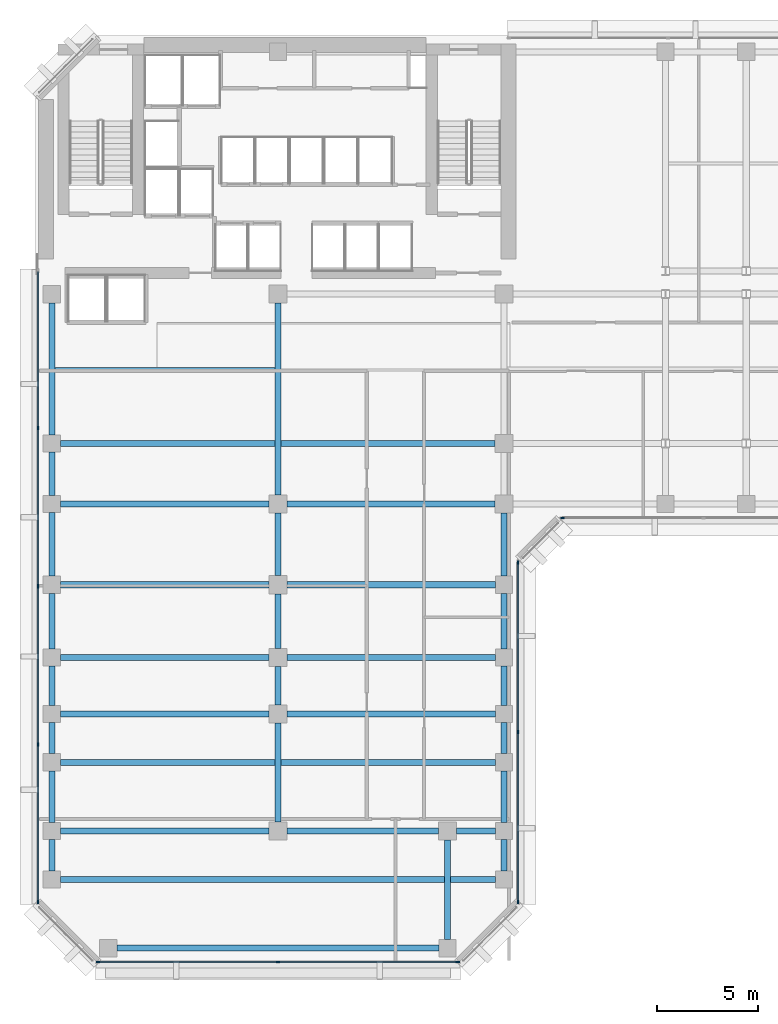
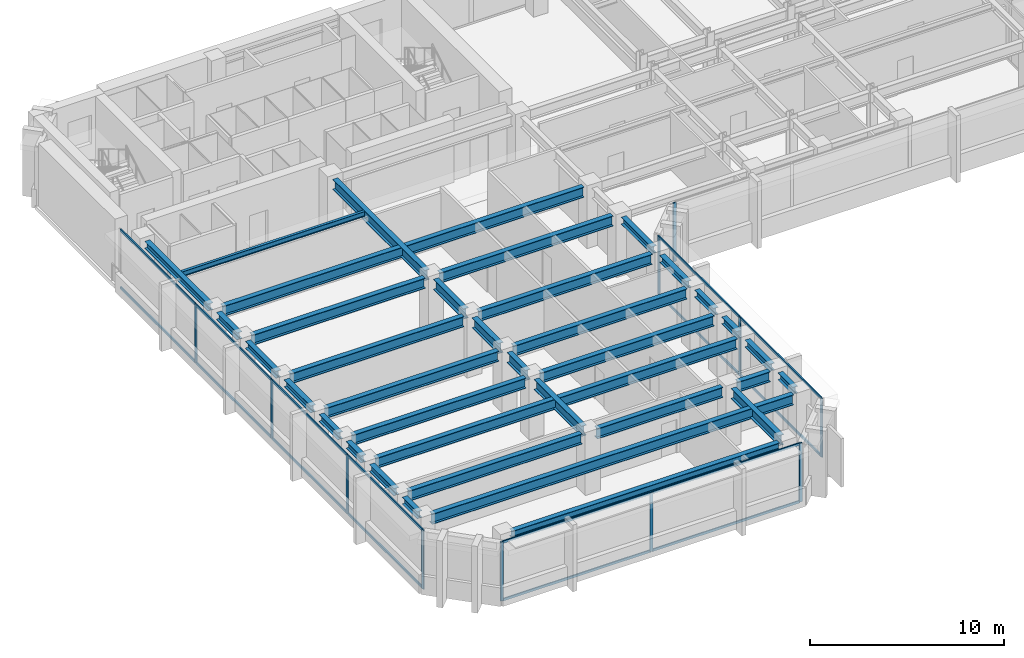
# One storey, part 2 of 12: 36 beams, 27 members, 4 elements without a shape of their own.
"""IFC4 building model written with IfcOpenShell, lengths in metres."""

from ifc_helpers import new_model, si_unit, direction, frame, origin, origin_2d, place, context, subcontext, project, spatial, rectangle, i_section, extrude, material, layer, layer_set, material_profile, profile_set, type_object, element, aggregate, save


model = new_model("IFC4")

# Units and contexts
model_context = context("Model", 3, precision=1e-05, world=origin(), true_north=direction((0.0, 1.0)))
body_context = subcontext(model_context, "Body", "Model", "MODEL_VIEW")
ifc_project = project(units=[si_unit("LENGTHUNIT", "METRE"), si_unit("AREAUNIT", "SQUARE_METRE"), si_unit("VOLUMEUNIT", "CUBIC_METRE"), si_unit("PLANEANGLEUNIT", "RADIAN"), si_unit("MASSUNIT", "GRAM", prefix="KILO")], contexts=[model_context])

# Site, building, storey
site_placement = place(None, origin())
site = spatial("IfcSite", under=ifc_project, at=site_placement, CompositionType="ELEMENT")
building_placement = place(site_placement, origin())
building = spatial("IfcBuilding", under=site, at=building_placement, Name="Kefirva Bronze Tower", CompositionType="ELEMENT")
storey_placement = place(building_placement, frame((0.0, 0.0, 122.429931640625)))
storey = spatial("IfcBuildingStorey", under=building, at=storey_placement, Name="L29", CompositionType="ELEMENT", Elevation=122.429931640625)

# Curtain wall, members
ifc_material_1 = material(Name="Bronze anodised aluminium", Category="aluminium")
ifc_layer = layer(ifc_material_1, 0.199951171875, Name="Bronze anodised aluminium")
ifc_layer_set = layer_set([ifc_layer], Name="Bronze anodised aluminium")
curtain_wall_type = type_object("IfcCurtainWallType", Name="Unitised Bronze Ribbon Curtain Wall Zone 2", PredefinedType="USERDEFINED", material=ifc_layer_set)
curtain_wall_1_placement = place(storey_placement, origin())
curtain_wall_1 = element("IfcCurtainWall", 1, at=curtain_wall_1_placement, inside=storey, type_object=curtain_wall_type, Name="L29 Curtain Wall 1", ObjectType="UNITISED CURTAIN WALL", PredefinedType="USERDEFINED")
ifc_material_profile_1 = material_profile(ifc_material_1, rectangle(XDim=0.074951171875, YDim=0.179931640625, at=origin_2d()), Name="ALU 75x180")
ifc_profile_set_1 = profile_set([ifc_material_profile_1], Name="Bronze anodised aluminium")
member_type_1 = type_object("IfcMemberType", Name="Bronze Mullion 75x180", PredefinedType="MULLION", material=ifc_profile_set_1)
member_1_placement = place(storey_placement, frame((3.092529296875, 0.1201171875, 0.0), z_axis=(0.0, 0.0, 1.0), x_axis=(0.0, 1.0, 0.0)))
member_1 = element("IfcMember", 2, at=member_1_placement, type_object=member_type_1, Name="CW-02 mullion 1", PredefinedType="MULLION", context=body_context, shape_type="SweptSolid", body=[
    extrude(rectangle(XDim=0.074951171875, YDim=0.179931640625, at=origin_2d()), origin(), (0.0, 0.0, 1.0), 3.7099609375),
])
member_2_placement = place(storey_placement, frame((12.0, 0.1201171875, 0.0), z_axis=(0.0, 0.0, 1.0), x_axis=(0.0, 1.0, 0.0)))
member_2 = element("IfcMember", 3, at=member_2_placement, type_object=member_type_1, Name="CW-02 mullion 2", PredefinedType="MULLION", context=body_context, shape_type="SweptSolid", body=[
    extrude(rectangle(XDim=0.074951171875, YDim=0.179931640625, at=origin_2d()), origin(), (0.0, 0.0, 1.0), 3.7099609375),
])
member_3_placement = place(storey_placement, frame((20.907470703125, 0.1201171875, 0.0), z_axis=(0.0, 0.0, 1.0), x_axis=(0.0, 1.0, 0.0)))
member_3 = element("IfcMember", 4, at=member_3_placement, type_object=member_type_1, Name="CW-02 mullion 3", PredefinedType="MULLION", context=body_context, shape_type="SweptSolid", body=[
    extrude(rectangle(XDim=0.074951171875, YDim=0.179931640625, at=origin_2d()), origin(), (0.0, 0.0, 1.0), 3.7099609375),
])

curtain_wall_2_placement = place(storey_placement, origin())
curtain_wall_2 = element("IfcCurtainWall", 5, at=curtain_wall_2_placement, inside=storey, type_object=curtain_wall_type, Name="L29 Curtain Wall 2", ObjectType="UNITISED CURTAIN WALL", PredefinedType="USERDEFINED")
member_4_placement = place(storey_placement, frame((23.8798828125, 3.092529296875, 0.0), z_axis=(0.0, 0.0, 1.0), x_axis=(-1.0, 0.0, 0.0)))
member_4 = element("IfcMember", 6, at=member_4_placement, type_object=member_type_1, Name="CW-02 mullion 1", PredefinedType="MULLION", context=body_context, shape_type="SweptSolid", body=[
    extrude(rectangle(XDim=0.074951171875, YDim=0.179931640625, at=origin_2d()), origin(), (0.0, 0.0, 1.0), 3.7099609375),
])
member_5_placement = place(storey_placement, frame((23.8798828125, 11.5, 0.0), z_axis=(0.0, 0.0, 1.0), x_axis=(-1.0, 0.0, 0.0)))
member_5 = element("IfcMember", 7, at=member_5_placement, type_object=member_type_1, Name="CW-02 mullion 2", PredefinedType="MULLION", context=body_context, shape_type="SweptSolid", body=[
    extrude(rectangle(XDim=0.074951171875, YDim=0.179931640625, at=origin_2d()), origin(), (0.0, 0.0, 1.0), 3.7099609375),
])
member_6_placement = place(storey_placement, frame((23.8798828125, 19.907470703125, 0.0), z_axis=(0.0, 0.0, 1.0), x_axis=(-1.0, 0.0, 0.0)))
member_6 = element("IfcMember", 8, at=member_6_placement, type_object=member_type_1, Name="CW-02 mullion 3", PredefinedType="MULLION", context=body_context, shape_type="SweptSolid", body=[
    extrude(rectangle(XDim=0.074951171875, YDim=0.179931640625, at=origin_2d()), origin(), (0.0, 0.0, 1.0), 3.7099609375),
])

# Curtain wall, member
curtain_wall_3_placement = place(storey_placement, origin())
curtain_wall_3 = element("IfcCurtainWall", 9, at=curtain_wall_3_placement, inside=storey, type_object=curtain_wall_type, Name="L29 Curtain Wall 3", ObjectType="UNITISED CURTAIN WALL", PredefinedType="USERDEFINED")
member_7_placement = place(storey_placement, frame((26.092529296875, 22.1201171875, 0.0), z_axis=(0.0, 0.0, 1.0), x_axis=(0.0, 1.0, 0.0)))
member_7 = element("IfcMember", 10, at=member_7_placement, type_object=member_type_1, Name="CW-02 mullion 1", PredefinedType="MULLION", context=body_context, shape_type="SweptSolid", body=[
    extrude(rectangle(XDim=0.074951171875, YDim=0.179931640625, at=origin_2d()), origin(), (0.0, 0.0, 1.0), 3.7099609375),
])
aggregate(curtain_wall_3, [member_7])

# Curtain wall, members
curtain_wall_4_placement = place(storey_placement, origin())
curtain_wall_4 = element("IfcCurtainWall", 11, at=curtain_wall_4_placement, inside=storey, type_object=curtain_wall_type, Name="L29 Curtain Wall 6", ObjectType="UNITISED CURTAIN WALL", PredefinedType="USERDEFINED")
member_8_placement = place(storey_placement, frame((0.1201171875, 26.56005859375, 0.0), z_axis=(0.0, 0.0, 1.0), x_axis=(1.0, 0.0, 0.0)))
member_8 = element("IfcMember", 12, at=member_8_placement, type_object=member_type_1, Name="CW-02 mullion 2", PredefinedType="MULLION", context=body_context, shape_type="SweptSolid", body=[
    extrude(rectangle(XDim=0.074951171875, YDim=0.179931640625, at=origin_2d()), origin(), (0.0, 0.0, 1.0), 3.7099609375),
])
member_9_placement = place(storey_placement, frame((0.1201171875, 18.72509765625, 0.0), z_axis=(0.0, 0.0, 1.0), x_axis=(1.0, 0.0, 0.0)))
member_9 = element("IfcMember", 13, at=member_9_placement, type_object=member_type_1, Name="CW-02 mullion 3", PredefinedType="MULLION", context=body_context, shape_type="SweptSolid", body=[
    extrude(rectangle(XDim=0.074951171875, YDim=0.179931640625, at=origin_2d()), origin(), (0.0, 0.0, 1.0), 3.7099609375),
])
member_10_placement = place(storey_placement, frame((0.1201171875, 10.889892578125, 0.0), z_axis=(0.0, 0.0, 1.0), x_axis=(1.0, 0.0, 0.0)))
member_10 = element("IfcMember", 14, at=member_10_placement, type_object=member_type_1, Name="CW-02 mullion 4", PredefinedType="MULLION", context=body_context, shape_type="SweptSolid", body=[
    extrude(rectangle(XDim=0.074951171875, YDim=0.179931640625, at=origin_2d()), origin(), (0.0, 0.0, 1.0), 3.7099609375),
])
member_11_placement = place(storey_placement, frame((0.1201171875, 3.092529296875, 0.0), z_axis=(0.0, 0.0, 1.0), x_axis=(1.0, 0.0, 0.0)))
member_11 = element("IfcMember", 15, at=member_11_placement, type_object=member_type_1, Name="CW-02 mullion 5", PredefinedType="MULLION", context=body_context, shape_type="SweptSolid", body=[
    extrude(rectangle(XDim=0.074951171875, YDim=0.179931640625, at=origin_2d()), origin(), (0.0, 0.0, 1.0), 3.7099609375),
])

# Member
ifc_material_profile_2 = material_profile(ifc_material_1, rectangle(XDim=0.074951171875, YDim=0.14990234375, at=origin_2d()), Name="ALU 75x150")
ifc_profile_set_2 = profile_set([ifc_material_profile_2], Name="Bronze anodised aluminium")
member_type_2 = type_object("IfcMemberType", Name="Bronze Transom 75x150", PredefinedType="USERDEFINED", material=ifc_profile_set_2)
member_12_placement = place(storey_placement, frame((3.1298828125, 0.1201171875, 0.03759765625), z_axis=(1.0, 0.0, 0.0), x_axis=(0.0, 1.0, 0.0)))
member_12 = element("IfcMember", 16, at=member_12_placement, type_object=member_type_2, Name="CW-02 transom 1.1", ObjectType="TRANSOM", PredefinedType="USERDEFINED", context=body_context, shape_type="SweptSolid", body=[
    extrude(rectangle(XDim=0.074951171875, YDim=0.14990234375, at=origin_2d()), origin(), (0.0, 0.0, 1.0), 8.83251953125),
])

member_13_placement = place(storey_placement, frame((3.1298828125, 0.1201171875, 3.672607421875), z_axis=(1.0, 0.0, 0.0), x_axis=(0.0, 1.0, 0.0)))
member_13 = element("IfcMember", 17, at=member_13_placement, type_object=member_type_2, Name="CW-02 transom 1.2", ObjectType="TRANSOM", PredefinedType="USERDEFINED", context=body_context, shape_type="SweptSolid", body=[
    extrude(rectangle(XDim=0.074951171875, YDim=0.14990234375, at=origin_2d()), origin(), (0.0, 0.0, 1.0), 8.83251953125),
])

member_14_placement = place(storey_placement, frame((12.03759765625, 0.1201171875, 0.03759765625), z_axis=(1.0, 0.0, 0.0), x_axis=(0.0, 1.0, 0.0)))
member_14 = element("IfcMember", 18, at=member_14_placement, type_object=member_type_2, Name="CW-02 transom 2.1", ObjectType="TRANSOM", PredefinedType="USERDEFINED", context=body_context, shape_type="SweptSolid", body=[
    extrude(rectangle(XDim=0.074951171875, YDim=0.14990234375, at=origin_2d()), origin(), (0.0, 0.0, 1.0), 8.83251953125),
])

member_15_placement = place(storey_placement, frame((12.03759765625, 0.1201171875, 3.672607421875), z_axis=(1.0, 0.0, 0.0), x_axis=(0.0, 1.0, 0.0)))
member_15 = element("IfcMember", 19, at=member_15_placement, type_object=member_type_2, Name="CW-02 transom 2.2", ObjectType="TRANSOM", PredefinedType="USERDEFINED", context=body_context, shape_type="SweptSolid", body=[
    extrude(rectangle(XDim=0.074951171875, YDim=0.14990234375, at=origin_2d()), origin(), (0.0, 0.0, 1.0), 8.83251953125),
])

aggregate(curtain_wall_1, [member_1, member_2, member_3, member_12, member_13, member_14, member_15])

member_16_placement = place(storey_placement, frame((23.8798828125, 3.1298828125, 0.03759765625), z_axis=(0.0, 1.0, 0.0), x_axis=(-1.0, 0.0, 0.0)))
member_16 = element("IfcMember", 20, at=member_16_placement, type_object=member_type_2, Name="CW-02 transom 1.1", ObjectType="TRANSOM", PredefinedType="USERDEFINED", context=body_context, shape_type="SweptSolid", body=[
    extrude(rectangle(XDim=0.074951171875, YDim=0.14990234375, at=origin_2d()), origin(), (0.0, 0.0, 1.0), 8.33251953125),
])

member_17_placement = place(storey_placement, frame((23.8798828125, 3.1298828125, 3.672607421875), z_axis=(0.0, 1.0, 0.0), x_axis=(-1.0, 0.0, 0.0)))
member_17 = element("IfcMember", 21, at=member_17_placement, type_object=member_type_2, Name="CW-02 transom 1.2", ObjectType="TRANSOM", PredefinedType="USERDEFINED", context=body_context, shape_type="SweptSolid", body=[
    extrude(rectangle(XDim=0.074951171875, YDim=0.14990234375, at=origin_2d()), origin(), (0.0, 0.0, 1.0), 8.33251953125),
])

member_18_placement = place(storey_placement, frame((23.8798828125, 11.53759765625, 0.03759765625), z_axis=(0.0, 1.0, 0.0), x_axis=(-1.0, 0.0, 0.0)))
member_18 = element("IfcMember", 22, at=member_18_placement, type_object=member_type_2, Name="CW-02 transom 2.1", ObjectType="TRANSOM", PredefinedType="USERDEFINED", context=body_context, shape_type="SweptSolid", body=[
    extrude(rectangle(XDim=0.074951171875, YDim=0.14990234375, at=origin_2d()), origin(), (0.0, 0.0, 1.0), 8.33251953125),
])

member_19_placement = place(storey_placement, frame((23.8798828125, 11.53759765625, 3.672607421875), z_axis=(0.0, 1.0, 0.0), x_axis=(-1.0, 0.0, 0.0)))
member_19 = element("IfcMember", 23, at=member_19_placement, type_object=member_type_2, Name="CW-02 transom 2.2", ObjectType="TRANSOM", PredefinedType="USERDEFINED", context=body_context, shape_type="SweptSolid", body=[
    extrude(rectangle(XDim=0.074951171875, YDim=0.14990234375, at=origin_2d()), origin(), (0.0, 0.0, 1.0), 8.33251953125),
])

aggregate(curtain_wall_2, [member_4, member_5, member_6, member_16, member_17, member_18, member_19])

member_20_placement = place(storey_placement, frame((0.1201171875, 34.320068359375, 0.03759765625), z_axis=(0.0, -1.0, 0.0), x_axis=(1.0, 0.0, 0.0)))
member_20 = element("IfcMember", 24, at=member_20_placement, type_object=member_type_2, Name="CW-02 transom 1.1", ObjectType="TRANSOM", PredefinedType="USERDEFINED", context=body_context, shape_type="SweptSolid", body=[
    extrude(rectangle(XDim=0.074951171875, YDim=0.14990234375, at=origin_2d()), origin(), (0.0, 0.0, 1.0), 7.72265625),
])

member_21_placement = place(storey_placement, frame((0.1201171875, 34.320068359375, 3.672607421875), z_axis=(0.0, -1.0, 0.0), x_axis=(1.0, 0.0, 0.0)))
member_21 = element("IfcMember", 25, at=member_21_placement, type_object=member_type_2, Name="CW-02 transom 1.2", ObjectType="TRANSOM", PredefinedType="USERDEFINED", context=body_context, shape_type="SweptSolid", body=[
    extrude(rectangle(XDim=0.074951171875, YDim=0.14990234375, at=origin_2d()), origin(), (0.0, 0.0, 1.0), 7.72265625),
])

member_22_placement = place(storey_placement, frame((0.1201171875, 26.5224609375, 0.03759765625), z_axis=(0.0, -1.0, 0.0), x_axis=(1.0, 0.0, 0.0)))
member_22 = element("IfcMember", 26, at=member_22_placement, type_object=member_type_2, Name="CW-02 transom 2.1", ObjectType="TRANSOM", PredefinedType="USERDEFINED", context=body_context, shape_type="SweptSolid", body=[
    extrude(rectangle(XDim=0.074951171875, YDim=0.14990234375, at=origin_2d()), origin(), (0.0, 0.0, 1.0), 7.760009765625),
])

member_23_placement = place(storey_placement, frame((0.1201171875, 26.5224609375, 3.672607421875), z_axis=(0.0, -1.0, 0.0), x_axis=(1.0, 0.0, 0.0)))
member_23 = element("IfcMember", 27, at=member_23_placement, type_object=member_type_2, Name="CW-02 transom 2.2", ObjectType="TRANSOM", PredefinedType="USERDEFINED", context=body_context, shape_type="SweptSolid", body=[
    extrude(rectangle(XDim=0.074951171875, YDim=0.14990234375, at=origin_2d()), origin(), (0.0, 0.0, 1.0), 7.760009765625),
])

member_24_placement = place(storey_placement, frame((0.1201171875, 18.6875, 0.03759765625), z_axis=(0.0, -1.0, 0.0), x_axis=(1.0, 0.0, 0.0)))
member_24 = element("IfcMember", 28, at=member_24_placement, type_object=member_type_2, Name="CW-02 transom 3.1", ObjectType="TRANSOM", PredefinedType="USERDEFINED", context=body_context, shape_type="SweptSolid", body=[
    extrude(rectangle(XDim=0.074951171875, YDim=0.14990234375, at=origin_2d()), origin(), (0.0, 0.0, 1.0), 7.760009765625),
])

member_25_placement = place(storey_placement, frame((0.1201171875, 18.6875, 3.672607421875), z_axis=(0.0, -1.0, 0.0), x_axis=(1.0, 0.0, 0.0)))
member_25 = element("IfcMember", 29, at=member_25_placement, type_object=member_type_2, Name="CW-02 transom 3.2", ObjectType="TRANSOM", PredefinedType="USERDEFINED", context=body_context, shape_type="SweptSolid", body=[
    extrude(rectangle(XDim=0.074951171875, YDim=0.14990234375, at=origin_2d()), origin(), (0.0, 0.0, 1.0), 7.760009765625),
])

member_26_placement = place(storey_placement, frame((0.1201171875, 10.8525390625, 0.03759765625), z_axis=(0.0, -1.0, 0.0), x_axis=(1.0, 0.0, 0.0)))
member_26 = element("IfcMember", 30, at=member_26_placement, type_object=member_type_2, Name="CW-02 transom 4.1", ObjectType="TRANSOM", PredefinedType="USERDEFINED", context=body_context, shape_type="SweptSolid", body=[
    extrude(rectangle(XDim=0.074951171875, YDim=0.14990234375, at=origin_2d()), origin(), (0.0, 0.0, 1.0), 7.72265625),
])

member_27_placement = place(storey_placement, frame((0.1201171875, 10.8525390625, 3.672607421875), z_axis=(0.0, -1.0, 0.0), x_axis=(1.0, 0.0, 0.0)))
member_27 = element("IfcMember", 31, at=member_27_placement, type_object=member_type_2, Name="CW-02 transom 4.2", ObjectType="TRANSOM", PredefinedType="USERDEFINED", context=body_context, shape_type="SweptSolid", body=[
    extrude(rectangle(XDim=0.074951171875, YDim=0.14990234375, at=origin_2d()), origin(), (0.0, 0.0, 1.0), 7.72265625),
])

aggregate(curtain_wall_4, [member_8, member_9, member_10, member_11, member_20, member_21, member_22, member_23, member_24, member_25, member_26, member_27])

# Beams
ifc_material_2 = material(Name="Steel S355", Category="steel")
ifc_material_profile_3 = material_profile(ifc_material_2, i_section(OverallWidth=0.159912109375, OverallDepth=0.330078125, WebThickness=0.007568359375, FlangeThickness=0.011474609375, at=origin_2d()), Name="IPE 330")
ifc_profile_set_3 = profile_set([ifc_material_profile_3], Name="Steel S355")
beam_type_1 = type_object("IfcBeamType", Name="Steel Floor Joist IPE 330", PredefinedType="JOIST", material=ifc_profile_set_3)
beam_1_placement = place(storey_placement, frame((0.949951171875, 29.489990234375, 3.545166015625), z_axis=(1.0, 0.0, 0.0), x_axis=(0.0, 1.0, 0.0)))
element("IfcBeam", 32, at=beam_1_placement, inside=storey, type_object=beam_type_1, Name="L29 JST-L29-0-294", PredefinedType="JOIST", context=body_context, shape_type="SweptSolid", body=[
    extrude(i_section(OverallWidth=0.159912109375, OverallDepth=0.330078125, WebThickness=0.007568359375, FlangeThickness=0.011474609375, at=origin_2d()), origin(), (0.0, 0.0, 1.0), 10.900146484375),
])
ifc_material_profile_4 = material_profile(ifc_material_2, i_section(OverallWidth=0.300048828125, OverallDepth=0.64990234375, WebThickness=0.01611328125, FlangeThickness=0.031005859375, at=origin_2d()), Name="HEB 650")
ifc_profile_set_4 = profile_set([ifc_material_profile_4], Name="Steel S355")
beam_type_2 = type_object("IfcBeamType", Name="Steel Girder HEB 650", PredefinedType="USERDEFINED", material=ifc_profile_set_4)
beam_2_placement = place(storey_placement, frame((1.22998046875, 4.199951171875, 3.385009765625), z_axis=(1.0, 0.0, 0.0), x_axis=(0.0, 1.0, 0.0)))
element("IfcBeam", 33, at=beam_2_placement, inside=storey, type_object=beam_type_2, Name="L29 BM-L29-EW-0-42", ObjectType="GIRDER", PredefinedType="USERDEFINED", context=body_context, shape_type="SweptSolid", body=[
    extrude(i_section(OverallWidth=0.300048828125, OverallDepth=0.64990234375, WebThickness=0.01611328125, FlangeThickness=0.031005859375, at=origin_2d()), origin(), (0.0, 0.0, 1.0), 21.5400390625),
])
beam_3_placement = place(storey_placement, frame((1.22998046875, 6.60009765625, 3.385009765625), z_axis=(1.0, 0.0, 0.0), x_axis=(0.0, 1.0, 0.0)))
element("IfcBeam", 34, at=beam_3_placement, inside=storey, type_object=beam_type_2, Name="L29 BM-L29-EW-0-66", ObjectType="GIRDER", PredefinedType="USERDEFINED", context=body_context, shape_type="SweptSolid", body=[
    extrude(i_section(OverallWidth=0.300048828125, OverallDepth=0.64990234375, WebThickness=0.01611328125, FlangeThickness=0.031005859375, at=origin_2d()), origin(), (0.0, 0.0, 1.0), 10.320068359375),
])
beam_4_placement = place(storey_placement, frame((12.449951171875, 6.60009765625, 3.385009765625), z_axis=(1.0, 0.0, 0.0), x_axis=(0.0, 1.0, 0.0)))
element("IfcBeam", 35, at=beam_4_placement, inside=storey, type_object=beam_type_2, Name="L29 BM-L29-EW-12-66", ObjectType="GIRDER", PredefinedType="USERDEFINED", context=body_context, shape_type="SweptSolid", body=[
    extrude(i_section(OverallWidth=0.300048828125, OverallDepth=0.64990234375, WebThickness=0.01611328125, FlangeThickness=0.031005859375, at=origin_2d()), origin(), (0.0, 0.0, 1.0), 7.5),
])
beam_5_placement = place(storey_placement, frame((20.85009765625, 6.60009765625, 3.385009765625), z_axis=(1.0, 0.0, 0.0), x_axis=(0.0, 1.0, 0.0)))
element("IfcBeam", 36, at=beam_5_placement, inside=storey, type_object=beam_type_2, Name="L29 BM-L29-EW-20-66", ObjectType="GIRDER", PredefinedType="USERDEFINED", context=body_context, shape_type="SweptSolid", body=[
    extrude(i_section(OverallWidth=0.300048828125, OverallDepth=0.64990234375, WebThickness=0.01611328125, FlangeThickness=0.031005859375, at=origin_2d()), origin(), (0.0, 0.0, 1.0), 1.919921875),
])
beam_6_placement = place(storey_placement, frame((1.22998046875, 10.0, 3.385009765625), z_axis=(1.0, 0.0, 0.0), x_axis=(0.0, 1.0, 0.0)))
element("IfcBeam", 37, at=beam_6_placement, inside=storey, type_object=beam_type_2, Name="L29 BM-L29-EW-0-100", ObjectType="GIRDER", PredefinedType="USERDEFINED", context=body_context, shape_type="SweptSolid", body=[
    extrude(i_section(OverallWidth=0.300048828125, OverallDepth=0.64990234375, WebThickness=0.01611328125, FlangeThickness=0.031005859375, at=origin_2d()), origin(), (0.0, 0.0, 1.0), 21.5400390625),
])
for number, where, z_axis, x_axis, name in (
    (38, (1.22998046875, 12.39990234375, 3.385009765625), (1.0, 0.0, 0.0), (0.0, 1.0, 0.0), "L29 BM-L29-EW-0-124"),
    (39, (12.449951171875, 12.39990234375, 3.385009765625), (1.0, 0.0, 0.0), (0.0, 1.0, 0.0), "L29 BM-L29-EW-12-124"),
    (40, (1.22998046875, 15.199951171875, 3.385009765625), (1.0, 0.0, 0.0), (0.0, 1.0, 0.0), "L29 BM-L29-EW-0-152"),
    (41, (12.449951171875, 15.199951171875, 3.385009765625), (1.0, 0.0, 0.0), (0.0, 1.0, 0.0), "L29 BM-L29-EW-12-152"),
    (42, (1.22998046875, 18.800048828125, 3.385009765625), (1.0, 0.0, 0.0), (0.0, 1.0, 0.0), "L29 BM-L29-EW-0-188"),
    (43, (12.449951171875, 18.800048828125, 3.385009765625), (1.0, 0.0, 0.0), (0.0, 1.0, 0.0), "L29 BM-L29-EW-12-188"),
    (44, (1.22998046875, 22.800048828125, 3.385009765625), (1.0, 0.0, 0.0), (0.0, 1.0, 0.0), "L29 BM-L29-EW-0-228"),
):
    element("IfcBeam", number, at=place(storey_placement, frame(where, z_axis=z_axis, x_axis=x_axis)), inside=storey, type_object=beam_type_2, Name=name, ObjectType="GIRDER", PredefinedType="USERDEFINED", context=body_context, shape_type="SweptSolid", body=[
        extrude(i_section(OverallWidth=0.300048828125, OverallDepth=0.64990234375, WebThickness=0.01611328125, FlangeThickness=0.031005859375, at=origin_2d()), origin(), (0.0, 0.0, 1.0), 10.320068359375),
    ])
beam_7_placement = place(storey_placement, frame((12.449951171875, 22.800048828125, 3.385009765625), z_axis=(1.0, 0.0, 0.0), x_axis=(0.0, 1.0, 0.0)))
element("IfcBeam", 45, at=beam_7_placement, inside=storey, type_object=beam_type_2, Name="L29 BM-L29-EW-12-228", ObjectType="GIRDER", PredefinedType="USERDEFINED", context=body_context, shape_type="SweptSolid", body=[
    extrude(i_section(OverallWidth=0.300048828125, OverallDepth=0.64990234375, WebThickness=0.01611328125, FlangeThickness=0.031005859375, at=origin_2d()), origin(), (0.0, 0.0, 1.0), 10.300048828125),
])
beam_8_placement = place(storey_placement, frame((1.22998046875, 25.800048828125, 3.385009765625), z_axis=(1.0, 0.0, 0.0), x_axis=(0.0, 1.0, 0.0)))
element("IfcBeam", 46, at=beam_8_placement, inside=storey, type_object=beam_type_2, Name="L29 BM-L29-EW-0-258", ObjectType="GIRDER", PredefinedType="USERDEFINED", context=body_context, shape_type="SweptSolid", body=[
    extrude(i_section(OverallWidth=0.300048828125, OverallDepth=0.64990234375, WebThickness=0.01611328125, FlangeThickness=0.031005859375, at=origin_2d()), origin(), (0.0, 0.0, 1.0), 21.52001953125),
])
beam_9_placement = place(storey_placement, frame((12.0, 7.050048828125, 3.385009765625), z_axis=(0.0, 1.0, 0.0), x_axis=(-1.0, 0.0, 0.0)))
element("IfcBeam", 47, at=beam_9_placement, inside=storey, type_object=beam_type_2, Name="L29 BM-L29-NS-120-6", ObjectType="GIRDER", PredefinedType="USERDEFINED", context=body_context, shape_type="SweptSolid", body=[
    extrude(i_section(OverallWidth=0.300048828125, OverallDepth=0.64990234375, WebThickness=0.01611328125, FlangeThickness=0.031005859375, at=origin_2d()), origin(), (0.0, 0.0, 1.0), 4.89990234375),
])
beam_10_placement = place(storey_placement, frame((12.0, 12.85009765625, 3.385009765625), z_axis=(0.0, 1.0, 0.0), x_axis=(-1.0, 0.0, 0.0)))
element("IfcBeam", 48, at=beam_10_placement, inside=storey, type_object=beam_type_2, Name="L29 BM-L29-NS-120-12", ObjectType="GIRDER", PredefinedType="USERDEFINED", context=body_context, shape_type="SweptSolid", body=[
    extrude(i_section(OverallWidth=0.300048828125, OverallDepth=0.64990234375, WebThickness=0.01611328125, FlangeThickness=0.031005859375, at=origin_2d()), origin(), (0.0, 0.0, 1.0), 1.89990234375),
])
beam_11_placement = place(storey_placement, frame((12.0, 15.64990234375, 3.385009765625), z_axis=(0.0, 1.0, 0.0), x_axis=(-1.0, 0.0, 0.0)))
element("IfcBeam", 49, at=beam_11_placement, inside=storey, type_object=beam_type_2, Name="L29 BM-L29-NS-120-15", ObjectType="GIRDER", PredefinedType="USERDEFINED", context=body_context, shape_type="SweptSolid", body=[
    extrude(i_section(OverallWidth=0.300048828125, OverallDepth=0.64990234375, WebThickness=0.01611328125, FlangeThickness=0.031005859375, at=origin_2d()), origin(), (0.0, 0.0, 1.0), 2.7001953125),
])
beam_12_placement = place(storey_placement, frame((12.0, 19.25, 3.385009765625), z_axis=(0.0, 1.0, 0.0), x_axis=(-1.0, 0.0, 0.0)))
element("IfcBeam", 50, at=beam_12_placement, inside=storey, type_object=beam_type_2, Name="L29 BM-L29-NS-120-18", ObjectType="GIRDER", PredefinedType="USERDEFINED", context=body_context, shape_type="SweptSolid", body=[
    extrude(i_section(OverallWidth=0.300048828125, OverallDepth=0.64990234375, WebThickness=0.01611328125, FlangeThickness=0.031005859375, at=origin_2d()), origin(), (0.0, 0.0, 1.0), 3.10009765625),
])
beam_13_placement = place(storey_placement, frame((12.0, 23.25, 3.385009765625), z_axis=(0.0, 1.0, 0.0), x_axis=(-1.0, 0.0, 0.0)))
element("IfcBeam", 51, at=beam_13_placement, inside=storey, type_object=beam_type_2, Name="L29 BM-L29-NS-120-22", ObjectType="GIRDER", PredefinedType="USERDEFINED", context=body_context, shape_type="SweptSolid", body=[
    extrude(i_section(OverallWidth=0.300048828125, OverallDepth=0.64990234375, WebThickness=0.01611328125, FlangeThickness=0.031005859375, at=origin_2d()), origin(), (0.0, 0.0, 1.0), 9.5),
])
beam_14_placement = place(storey_placement, frame((20.39990234375, 1.22998046875, 3.385009765625), z_axis=(0.0, 1.0, 0.0), x_axis=(-1.0, 0.0, 0.0)))
element("IfcBeam", 52, at=beam_14_placement, inside=storey, type_object=beam_type_2, Name="L29 BM-L29-NS-204-0", ObjectType="GIRDER", PredefinedType="USERDEFINED", context=body_context, shape_type="SweptSolid", body=[
    extrude(i_section(OverallWidth=0.300048828125, OverallDepth=0.64990234375, WebThickness=0.01611328125, FlangeThickness=0.031005859375, at=origin_2d()), origin(), (0.0, 0.0, 1.0), 4.919921875),
])
ifc_material_profile_5 = material_profile(ifc_material_2, i_section(OverallWidth=0.300048828125, OverallDepth=0.449951171875, WebThickness=0.013916015625, FlangeThickness=0.02587890625, at=origin_2d()), Name="HEB 450")
ifc_profile_set_5 = profile_set([ifc_material_profile_5], Name="Steel S355")
beam_type_3 = type_object("IfcBeamType", Name="Steel Spandrel HEB 450 Ext", PredefinedType="SPANDREL", material=ifc_profile_set_5)
beam_15_placement = place(storey_placement, frame((4.030029296875, 0.800048828125, 3.485107421875), z_axis=(1.0, 0.0, 0.0), x_axis=(0.0, 1.0, 0.0)))
element("IfcBeam", 53, at=beam_15_placement, inside=storey, type_object=beam_type_3, Name="L29 BM-L29-EW-3-8", PredefinedType="SPANDREL", context=body_context, shape_type="SweptSolid", body=[
    extrude(i_section(OverallWidth=0.300048828125, OverallDepth=0.449951171875, WebThickness=0.013916015625, FlangeThickness=0.02587890625, at=origin_2d()), origin(), (0.0, 0.0, 1.0), 15.93994140625),
])
beam_16_placement = place(storey_placement, frame((0.800048828125, 4.6298828125, 3.485107421875), z_axis=(0.0, 1.0, 0.0), x_axis=(-1.0, 0.0, 0.0)))
element("IfcBeam", 54, at=beam_16_placement, inside=storey, type_object=beam_type_3, Name="L29 BM-L29-NS-8-4", PredefinedType="SPANDREL", context=body_context, shape_type="SweptSolid", body=[
    extrude(i_section(OverallWidth=0.300048828125, OverallDepth=0.449951171875, WebThickness=0.013916015625, FlangeThickness=0.02587890625, at=origin_2d()), origin(), (0.0, 0.0, 1.0), 1.5400390625),
])
beam_17_placement = place(storey_placement, frame((0.800048828125, 7.030029296875, 3.485107421875), z_axis=(0.0, 1.0, 0.0), x_axis=(-1.0, 0.0, 0.0)))
element("IfcBeam", 55, at=beam_17_placement, inside=storey, type_object=beam_type_3, Name="L29 BM-L29-NS-8-6", PredefinedType="SPANDREL", context=body_context, shape_type="SweptSolid", body=[
    extrude(i_section(OverallWidth=0.300048828125, OverallDepth=0.449951171875, WebThickness=0.013916015625, FlangeThickness=0.02587890625, at=origin_2d()), origin(), (0.0, 0.0, 1.0), 2.5400390625),
])
beam_18_placement = place(storey_placement, frame((0.800048828125, 10.429931640625, 3.485107421875), z_axis=(0.0, 1.0, 0.0), x_axis=(-1.0, 0.0, 0.0)))
element("IfcBeam", 56, at=beam_18_placement, inside=storey, type_object=beam_type_3, Name="L29 BM-L29-NS-8-10", PredefinedType="SPANDREL", context=body_context, shape_type="SweptSolid", body=[
    extrude(i_section(OverallWidth=0.300048828125, OverallDepth=0.449951171875, WebThickness=0.013916015625, FlangeThickness=0.02587890625, at=origin_2d()), origin(), (0.0, 0.0, 1.0), 1.5400390625),
])
beam_19_placement = place(storey_placement, frame((0.800048828125, 12.830078125, 3.485107421875), z_axis=(0.0, 1.0, 0.0), x_axis=(-1.0, 0.0, 0.0)))
element("IfcBeam", 57, at=beam_19_placement, inside=storey, type_object=beam_type_3, Name="L29 BM-L29-NS-8-12", PredefinedType="SPANDREL", context=body_context, shape_type="SweptSolid", body=[
    extrude(i_section(OverallWidth=0.300048828125, OverallDepth=0.449951171875, WebThickness=0.013916015625, FlangeThickness=0.02587890625, at=origin_2d()), origin(), (0.0, 0.0, 1.0), 1.93994140625),
])
beam_20_placement = place(storey_placement, frame((0.800048828125, 15.6298828125, 3.485107421875), z_axis=(0.0, 1.0, 0.0), x_axis=(-1.0, 0.0, 0.0)))
element("IfcBeam", 58, at=beam_20_placement, inside=storey, type_object=beam_type_3, Name="L29 BM-L29-NS-8-15", PredefinedType="SPANDREL", context=body_context, shape_type="SweptSolid", body=[
    extrude(i_section(OverallWidth=0.300048828125, OverallDepth=0.449951171875, WebThickness=0.013916015625, FlangeThickness=0.02587890625, at=origin_2d()), origin(), (0.0, 0.0, 1.0), 2.740234375),
])
beam_21_placement = place(storey_placement, frame((0.800048828125, 19.22998046875, 3.485107421875), z_axis=(0.0, 1.0, 0.0), x_axis=(-1.0, 0.0, 0.0)))
element("IfcBeam", 59, at=beam_21_placement, inside=storey, type_object=beam_type_3, Name="L29 BM-L29-NS-8-18", PredefinedType="SPANDREL", context=body_context, shape_type="SweptSolid", body=[
    extrude(i_section(OverallWidth=0.300048828125, OverallDepth=0.449951171875, WebThickness=0.013916015625, FlangeThickness=0.02587890625, at=origin_2d()), origin(), (0.0, 0.0, 1.0), 3.14013671875),
])
beam_22_placement = place(storey_placement, frame((0.800048828125, 23.22998046875, 3.485107421875), z_axis=(0.0, 1.0, 0.0), x_axis=(-1.0, 0.0, 0.0)))
element("IfcBeam", 60, at=beam_22_placement, inside=storey, type_object=beam_type_3, Name="L29 BM-L29-NS-8-22", PredefinedType="SPANDREL", context=body_context, shape_type="SweptSolid", body=[
    extrude(i_section(OverallWidth=0.300048828125, OverallDepth=0.449951171875, WebThickness=0.013916015625, FlangeThickness=0.02587890625, at=origin_2d()), origin(), (0.0, 0.0, 1.0), 2.14013671875),
])
beam_23_placement = place(storey_placement, frame((0.800048828125, 26.22998046875, 3.485107421875), z_axis=(0.0, 1.0, 0.0), x_axis=(-1.0, 0.0, 0.0)))
element("IfcBeam", 61, at=beam_23_placement, inside=storey, type_object=beam_type_3, Name="L29 BM-L29-NS-8-25", PredefinedType="SPANDREL", context=body_context, shape_type="SweptSolid", body=[
    extrude(i_section(OverallWidth=0.300048828125, OverallDepth=0.449951171875, WebThickness=0.013916015625, FlangeThickness=0.02587890625, at=origin_2d()), origin(), (0.0, 0.0, 1.0), 6.5400390625),
])
beam_24_placement = place(storey_placement, frame((23.199951171875, 4.6298828125, 3.485107421875), z_axis=(0.0, 1.0, 0.0), x_axis=(-1.0, 0.0, 0.0)))
element("IfcBeam", 62, at=beam_24_placement, inside=storey, type_object=beam_type_3, Name="L29 BM-L29-NS-232-4", PredefinedType="SPANDREL", context=body_context, shape_type="SweptSolid", body=[
    extrude(i_section(OverallWidth=0.300048828125, OverallDepth=0.449951171875, WebThickness=0.013916015625, FlangeThickness=0.02587890625, at=origin_2d()), origin(), (0.0, 0.0, 1.0), 1.5400390625),
])
beam_25_placement = place(storey_placement, frame((23.199951171875, 7.030029296875, 3.485107421875), z_axis=(0.0, 1.0, 0.0), x_axis=(-1.0, 0.0, 0.0)))
element("IfcBeam", 63, at=beam_25_placement, inside=storey, type_object=beam_type_3, Name="L29 BM-L29-NS-232-6", PredefinedType="SPANDREL", context=body_context, shape_type="SweptSolid", body=[
    extrude(i_section(OverallWidth=0.300048828125, OverallDepth=0.449951171875, WebThickness=0.013916015625, FlangeThickness=0.02587890625, at=origin_2d()), origin(), (0.0, 0.0, 1.0), 2.5400390625),
])
beam_26_placement = place(storey_placement, frame((23.199951171875, 10.429931640625, 3.485107421875), z_axis=(0.0, 1.0, 0.0), x_axis=(-1.0, 0.0, 0.0)))
element("IfcBeam", 64, at=beam_26_placement, inside=storey, type_object=beam_type_3, Name="L29 BM-L29-NS-232-10", PredefinedType="SPANDREL", context=body_context, shape_type="SweptSolid", body=[
    extrude(i_section(OverallWidth=0.300048828125, OverallDepth=0.449951171875, WebThickness=0.013916015625, FlangeThickness=0.02587890625, at=origin_2d()), origin(), (0.0, 0.0, 1.0), 1.5400390625),
])
beam_27_placement = place(storey_placement, frame((23.199951171875, 12.830078125, 3.485107421875), z_axis=(0.0, 1.0, 0.0), x_axis=(-1.0, 0.0, 0.0)))
element("IfcBeam", 65, at=beam_27_placement, inside=storey, type_object=beam_type_3, Name="L29 BM-L29-NS-232-12", PredefinedType="SPANDREL", context=body_context, shape_type="SweptSolid", body=[
    extrude(i_section(OverallWidth=0.300048828125, OverallDepth=0.449951171875, WebThickness=0.013916015625, FlangeThickness=0.02587890625, at=origin_2d()), origin(), (0.0, 0.0, 1.0), 1.93994140625),
])
beam_28_placement = place(storey_placement, frame((23.199951171875, 15.6298828125, 3.485107421875), z_axis=(0.0, 1.0, 0.0), x_axis=(-1.0, 0.0, 0.0)))
element("IfcBeam", 66, at=beam_28_placement, inside=storey, type_object=beam_type_3, Name="L29 BM-L29-NS-232-15", PredefinedType="SPANDREL", context=body_context, shape_type="SweptSolid", body=[
    extrude(i_section(OverallWidth=0.300048828125, OverallDepth=0.449951171875, WebThickness=0.013916015625, FlangeThickness=0.02587890625, at=origin_2d()), origin(), (0.0, 0.0, 1.0), 2.740234375),
])
beam_29_placement = place(storey_placement, frame((23.199951171875, 19.22998046875, 3.485107421875), z_axis=(0.0, 1.0, 0.0), x_axis=(-1.0, 0.0, 0.0)))
element("IfcBeam", 67, at=beam_29_placement, inside=storey, type_object=beam_type_3, Name="L29 BM-L29-NS-232-18", PredefinedType="SPANDREL", context=body_context, shape_type="SweptSolid", body=[
    extrude(i_section(OverallWidth=0.300048828125, OverallDepth=0.449951171875, WebThickness=0.013916015625, FlangeThickness=0.02587890625, at=origin_2d()), origin(), (0.0, 0.0, 1.0), 3.1201171875),
])

save(model, "model.ifc")
